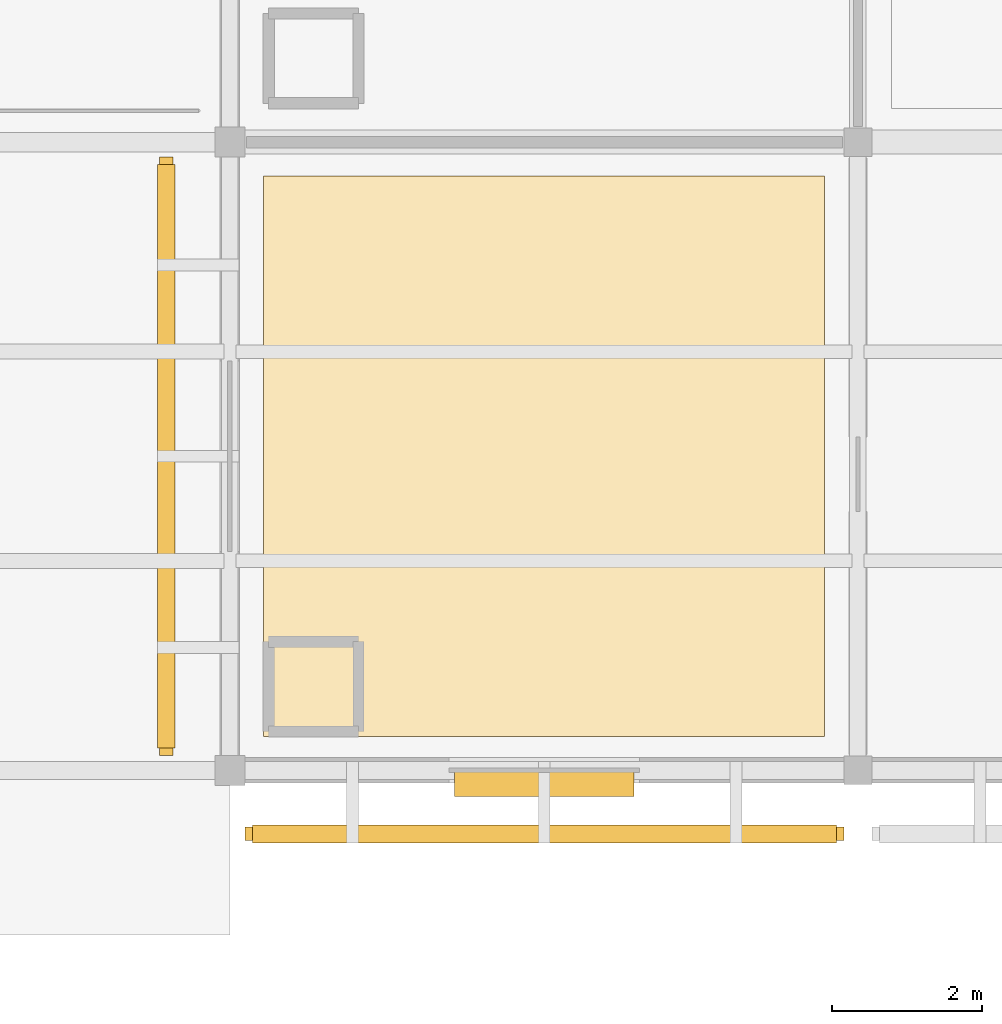
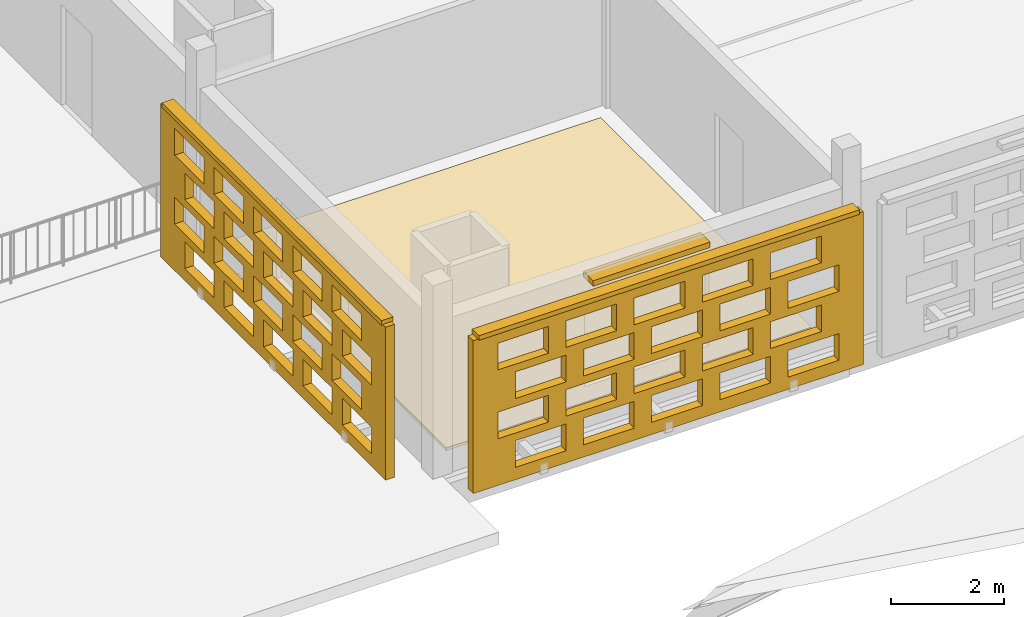
# One storey, part 130 of 140: 3 coverings, 3 shading devices, 40 openings.
"""IFC4 building model written with IfcOpenShell, lengths in metres."""

from ifc_helpers import new_model, si_unit, direction, frame, frame_2d, origin, origin_2d, place, context, subcontext, project, spatial, rectangle, extrude, material, layer, layer_set, type_object, element, save


model = new_model("IFC4")

# Units and contexts
model_context = context("Model", 3, precision=1e-05, world=origin(), true_north=direction((0.0, 1.0)))
body_context = subcontext(model_context, "Body", "Model", "MODEL_VIEW")
ifc_project = project(units=[si_unit("LENGTHUNIT", "METRE"), si_unit("AREAUNIT", "SQUARE_METRE"), si_unit("VOLUMEUNIT", "CUBIC_METRE"), si_unit("PLANEANGLEUNIT", "RADIAN"), si_unit("MASSUNIT", "GRAM", prefix="KILO")], contexts=[model_context])

# Site, building, storey
site_placement = place(None, origin())
site = spatial("IfcSite", under=ifc_project, at=site_placement, CompositionType="ELEMENT")
building_placement = place(site_placement, origin())
building = spatial("IfcBuilding", under=site, at=building_placement, Name="Varnapada Polytechnic", CompositionType="ELEMENT")
storey_placement = place(building_placement, frame((0.0, 0.0, 13.800048828125)))
storey = spatial("IfcBuildingStorey", under=building, at=storey_placement, Name="L03", CompositionType="ELEMENT", Elevation=13.800048828125)

# Covering
ifc_material_1 = material(Name="Anti-Static Raised Laboratory Flooring")
ifc_layer_1 = layer(ifc_material_1, 0.06005859375)
ifc_layer_set_1 = layer_set([ifc_layer_1], Name="Anti-Static Raised Laboratory Flooring")
covering_type_1 = type_object("IfcCoveringType", Name="Floor Finish FLR-02", PredefinedType="FLOORING", material=ifc_layer_set_1)
covering_1_placement = place(storey_placement, frame((147.0, 63.0, 0.0), z_axis=(0.0, 0.0, 1.0), x_axis=(1.0, 0.0, 0.0)))
element("IfcCovering", 1, at=covering_1_placement, inside=storey, type_object=covering_type_1, Name="L03 floor finish panel (18,8)", PredefinedType="FLOORING", context=body_context, shape_type="SweptSolid", body=[
    extrude(rectangle(XDim=7.5, YDim=7.5, at=origin_2d()), origin(), (0.0, 0.0, 1.0), 0.06005859375),
])

# Shading device
ifc_material_2 = material(Name="Anodised aluminium", Category="aluminium")
ifc_layer_2 = layer(ifc_material_2, 0.35009765625)
ifc_layer_set_2 = layer_set([ifc_layer_2], Name="Anodised aluminium")
shading_device_type_1 = type_object("IfcShadingDeviceType", Name="Solar Louvre LVR-01", PredefinedType="JALOUSIE", material=ifc_layer_set_2)
shading_device_1_placement = place(storey_placement, frame((147.0048828125, 58.6201171875, 3.159912109375), z_axis=(0.0, 0.0, 1.0), x_axis=(-1.0, 0.0, 0.0)))
element("IfcShadingDevice", 2, at=shading_device_1_placement, inside=storey, type_object=shading_device_type_1, Name="L03 aluminium sun louvre 79", PredefinedType="JALOUSIE", context=body_context, shape_type="SweptSolid", body=[
    extrude(rectangle(XDim=2.39990234375, YDim=0.340087890625, at=origin_2d()), origin(), (0.0, 0.0, 1.0), 0.1201171875),
])

# Covering, openings
ifc_material_3 = material(Name="Earth-toned architectural terracotta screen block", Category="masonry")
ifc_layer_3 = layer(ifc_material_3, 0.1201171875)
ifc_layer_set_3 = layer_set([ifc_layer_3], Name="Earth-toned architectural terracotta screen block")
covering_type_2 = type_object("IfcCoveringType", Name="Terracotta Screen Cladding CLD-01", PredefinedType="CLADDING", material=ifc_layer_set_3)
covering_2_placement = place(storey_placement, frame((151.010009765625, 57.949951171875, 0.0), z_axis=(0.0, 0.0, 1.0), x_axis=(-1.0, 0.0, 0.0)))
covering_2 = element("IfcCovering", 3, at=covering_2_placement, inside=storey, type_object=covering_type_2, Name="L03 perforated terracotta block screen (79)", PredefinedType="CLADDING", context=body_context, shape_type="SweptSolid", body=[
    extrude(rectangle(XDim=8.010009765625, YDim=0.179931640625, at=frame_2d((4.0048828125, 0.0))), origin(), (0.0, 0.0, 1.0), 3.320068359375),
])
opening_1_placement = place(covering_2_placement, frame((0.5048828125, 0.0, 0.265625)))
element("IfcOpeningElement", 4, at=opening_1_placement, cuts=covering_2, Name="Screen perforation TBS-L03-078.1", PredefinedType="OPENING", context=body_context, shape_type="SweptSolid", body=[
    extrude(rectangle(XDim=1.0400390625, YDim=0.5810546875, at=frame_2d((0.52001953125, 0.29052734375))), frame((0.0, 0.099853515625, 0.0), z_axis=(0.0, -1.0, 0.0), x_axis=(1.0, 0.0, 0.0)), (0.0, 0.0, 1.0), 0.199951171875),
])
opening_2_placement = place(covering_2_placement, frame((1.905029296875, 0.0, 0.265625)))
element("IfcOpeningElement", 5, at=opening_2_placement, cuts=covering_2, Name="Screen perforation TBS-L03-078.2", PredefinedType="OPENING", context=body_context, shape_type="SweptSolid", body=[
    extrude(rectangle(XDim=1.0400390625, YDim=0.5810546875, at=frame_2d((0.52001953125, 0.29052734375))), frame((0.0, 0.099853515625, 0.0), z_axis=(0.0, -1.0, 0.0), x_axis=(1.0, 0.0, 0.0)), (0.0, 0.0, 1.0), 0.199951171875),
])
opening_3_placement = place(covering_2_placement, frame((3.304931640625, 0.0, 0.265625)))
element("IfcOpeningElement", 6, at=opening_3_placement, cuts=covering_2, Name="Screen perforation TBS-L03-078.3", PredefinedType="OPENING", context=body_context, shape_type="SweptSolid", body=[
    extrude(rectangle(XDim=1.0400390625, YDim=0.5810546875, at=frame_2d((0.52001953125, 0.29052734375))), frame((0.0, 0.099853515625, 0.0), z_axis=(0.0, -1.0, 0.0), x_axis=(1.0, 0.0, 0.0)), (0.0, 0.0, 1.0), 0.199951171875),
])
opening_4_placement = place(covering_2_placement, frame((4.705078125, 0.0, 0.265625)))
element("IfcOpeningElement", 7, at=opening_4_placement, cuts=covering_2, Name="Screen perforation TBS-L03-078.4", PredefinedType="OPENING", context=body_context, shape_type="SweptSolid", body=[
    extrude(rectangle(XDim=1.0400390625, YDim=0.5810546875, at=frame_2d((0.52001953125, 0.29052734375))), frame((0.0, 0.099853515625, 0.0), z_axis=(0.0, -1.0, 0.0), x_axis=(1.0, 0.0, 0.0)), (0.0, 0.0, 1.0), 0.199951171875),
])
opening_5_placement = place(covering_2_placement, frame((6.10498046875, 0.0, 0.265625)))
element("IfcOpeningElement", 8, at=opening_5_placement, cuts=covering_2, Name="Screen perforation TBS-L03-078.5", PredefinedType="OPENING", context=body_context, shape_type="SweptSolid", body=[
    extrude(rectangle(XDim=1.0400390625, YDim=0.5810546875, at=frame_2d((0.52001953125, 0.29052734375))), frame((0.0, 0.099853515625, 0.0), z_axis=(0.0, -1.0, 0.0), x_axis=(1.0, 0.0, 0.0)), (0.0, 0.0, 1.0), 0.199951171875),
])
opening_6_placement = place(covering_2_placement, frame((0.864990234375, 0.0, 1.0126953125)))
element("IfcOpeningElement", 9, at=opening_6_placement, cuts=covering_2, Name="Screen perforation TBS-L03-078.6", PredefinedType="OPENING", context=body_context, shape_type="SweptSolid", body=[
    extrude(rectangle(XDim=1.0400390625, YDim=0.5810546875, at=frame_2d((0.52001953125, 0.29052734375))), frame((0.0, 0.099853515625, 0.0), z_axis=(0.0, -1.0, 0.0), x_axis=(1.0, 0.0, 0.0)), (0.0, 0.0, 1.0), 0.199951171875),
])
opening_7_placement = place(covering_2_placement, frame((2.264892578125, 0.0, 1.0126953125)))
element("IfcOpeningElement", 10, at=opening_7_placement, cuts=covering_2, Name="Screen perforation TBS-L03-078.7", PredefinedType="OPENING", context=body_context, shape_type="SweptSolid", body=[
    extrude(rectangle(XDim=1.0400390625, YDim=0.5810546875, at=frame_2d((0.52001953125, 0.29052734375))), frame((0.0, 0.099853515625, 0.0), z_axis=(0.0, -1.0, 0.0), x_axis=(1.0, 0.0, 0.0)), (0.0, 0.0, 1.0), 0.199951171875),
])
opening_8_placement = place(covering_2_placement, frame((3.6650390625, 0.0, 1.0126953125)))
element("IfcOpeningElement", 11, at=opening_8_placement, cuts=covering_2, Name="Screen perforation TBS-L03-078.8", PredefinedType="OPENING", context=body_context, shape_type="SweptSolid", body=[
    extrude(rectangle(XDim=1.0400390625, YDim=0.5810546875, at=frame_2d((0.52001953125, 0.29052734375))), frame((0.0, 0.099853515625, 0.0), z_axis=(0.0, -1.0, 0.0), x_axis=(1.0, 0.0, 0.0)), (0.0, 0.0, 1.0), 0.199951171875),
])
opening_9_placement = place(covering_2_placement, frame((5.06494140625, 0.0, 1.0126953125)))
element("IfcOpeningElement", 12, at=opening_9_placement, cuts=covering_2, Name="Screen perforation TBS-L03-078.9", PredefinedType="OPENING", context=body_context, shape_type="SweptSolid", body=[
    extrude(rectangle(XDim=1.0400390625, YDim=0.5810546875, at=frame_2d((0.52001953125, 0.29052734375))), frame((0.0, 0.099853515625, 0.0), z_axis=(0.0, -1.0, 0.0), x_axis=(1.0, 0.0, 0.0)), (0.0, 0.0, 1.0), 0.199951171875),
])
opening_10_placement = place(covering_2_placement, frame((6.465087890625, 0.0, 1.0126953125)))
element("IfcOpeningElement", 13, at=opening_10_placement, cuts=covering_2, Name="Screen perforation TBS-L03-078.10", PredefinedType="OPENING", context=body_context, shape_type="SweptSolid", body=[
    extrude(rectangle(XDim=1.0400390625, YDim=0.5810546875, at=frame_2d((0.52001953125, 0.29052734375))), frame((0.0, 0.099853515625, 0.0), z_axis=(0.0, -1.0, 0.0), x_axis=(1.0, 0.0, 0.0)), (0.0, 0.0, 1.0), 0.199951171875),
])
opening_11_placement = place(covering_2_placement, frame((0.5048828125, 0.0, 1.759521484375)))
element("IfcOpeningElement", 14, at=opening_11_placement, cuts=covering_2, Name="Screen perforation TBS-L03-078.11", PredefinedType="OPENING", context=body_context, shape_type="SweptSolid", body=[
    extrude(rectangle(XDim=1.0400390625, YDim=0.5810546875, at=frame_2d((0.52001953125, 0.29052734375))), frame((0.0, 0.099853515625, 0.0), z_axis=(0.0, -1.0, 0.0), x_axis=(1.0, 0.0, 0.0)), (0.0, 0.0, 1.0), 0.199951171875),
])
opening_12_placement = place(covering_2_placement, frame((1.905029296875, 0.0, 1.759521484375)))
element("IfcOpeningElement", 15, at=opening_12_placement, cuts=covering_2, Name="Screen perforation TBS-L03-078.12", PredefinedType="OPENING", context=body_context, shape_type="SweptSolid", body=[
    extrude(rectangle(XDim=1.0400390625, YDim=0.5810546875, at=frame_2d((0.52001953125, 0.29052734375))), frame((0.0, 0.099853515625, 0.0), z_axis=(0.0, -1.0, 0.0), x_axis=(1.0, 0.0, 0.0)), (0.0, 0.0, 1.0), 0.199951171875),
])
opening_13_placement = place(covering_2_placement, frame((3.304931640625, 0.0, 1.759521484375)))
element("IfcOpeningElement", 16, at=opening_13_placement, cuts=covering_2, Name="Screen perforation TBS-L03-078.13", PredefinedType="OPENING", context=body_context, shape_type="SweptSolid", body=[
    extrude(rectangle(XDim=1.0400390625, YDim=0.5810546875, at=frame_2d((0.52001953125, 0.29052734375))), frame((0.0, 0.099853515625, 0.0), z_axis=(0.0, -1.0, 0.0), x_axis=(1.0, 0.0, 0.0)), (0.0, 0.0, 1.0), 0.199951171875),
])
opening_14_placement = place(covering_2_placement, frame((4.705078125, 0.0, 1.759521484375)))
element("IfcOpeningElement", 17, at=opening_14_placement, cuts=covering_2, Name="Screen perforation TBS-L03-078.14", PredefinedType="OPENING", context=body_context, shape_type="SweptSolid", body=[
    extrude(rectangle(XDim=1.0400390625, YDim=0.5810546875, at=frame_2d((0.52001953125, 0.29052734375))), frame((0.0, 0.099853515625, 0.0), z_axis=(0.0, -1.0, 0.0), x_axis=(1.0, 0.0, 0.0)), (0.0, 0.0, 1.0), 0.199951171875),
])
opening_15_placement = place(covering_2_placement, frame((6.10498046875, 0.0, 1.759521484375)))
element("IfcOpeningElement", 18, at=opening_15_placement, cuts=covering_2, Name="Screen perforation TBS-L03-078.15", PredefinedType="OPENING", context=body_context, shape_type="SweptSolid", body=[
    extrude(rectangle(XDim=1.0400390625, YDim=0.5810546875, at=frame_2d((0.52001953125, 0.29052734375))), frame((0.0, 0.099853515625, 0.0), z_axis=(0.0, -1.0, 0.0), x_axis=(1.0, 0.0, 0.0)), (0.0, 0.0, 1.0), 0.199951171875),
])
opening_16_placement = place(covering_2_placement, frame((0.864990234375, 0.0, 2.506591796875)))
element("IfcOpeningElement", 19, at=opening_16_placement, cuts=covering_2, Name="Screen perforation TBS-L03-078.16", PredefinedType="OPENING", context=body_context, shape_type="SweptSolid", body=[
    extrude(rectangle(XDim=1.0400390625, YDim=0.5810546875, at=frame_2d((0.52001953125, 0.29052734375))), frame((0.0, 0.099853515625, 0.0), z_axis=(0.0, -1.0, 0.0), x_axis=(1.0, 0.0, 0.0)), (0.0, 0.0, 1.0), 0.199951171875),
])
opening_17_placement = place(covering_2_placement, frame((2.264892578125, 0.0, 2.506591796875)))
element("IfcOpeningElement", 20, at=opening_17_placement, cuts=covering_2, Name="Screen perforation TBS-L03-078.17", PredefinedType="OPENING", context=body_context, shape_type="SweptSolid", body=[
    extrude(rectangle(XDim=1.0400390625, YDim=0.5810546875, at=frame_2d((0.52001953125, 0.29052734375))), frame((0.0, 0.099853515625, 0.0), z_axis=(0.0, -1.0, 0.0), x_axis=(1.0, 0.0, 0.0)), (0.0, 0.0, 1.0), 0.199951171875),
])
opening_18_placement = place(covering_2_placement, frame((3.6650390625, 0.0, 2.506591796875)))
element("IfcOpeningElement", 21, at=opening_18_placement, cuts=covering_2, Name="Screen perforation TBS-L03-078.18", PredefinedType="OPENING", context=body_context, shape_type="SweptSolid", body=[
    extrude(rectangle(XDim=1.0400390625, YDim=0.5810546875, at=frame_2d((0.52001953125, 0.29052734375))), frame((0.0, 0.099853515625, 0.0), z_axis=(0.0, -1.0, 0.0), x_axis=(1.0, 0.0, 0.0)), (0.0, 0.0, 1.0), 0.199951171875),
])
opening_19_placement = place(covering_2_placement, frame((5.06494140625, 0.0, 2.506591796875)))
element("IfcOpeningElement", 22, at=opening_19_placement, cuts=covering_2, Name="Screen perforation TBS-L03-078.19", PredefinedType="OPENING", context=body_context, shape_type="SweptSolid", body=[
    extrude(rectangle(XDim=1.0400390625, YDim=0.5810546875, at=frame_2d((0.52001953125, 0.29052734375))), frame((0.0, 0.099853515625, 0.0), z_axis=(0.0, -1.0, 0.0), x_axis=(1.0, 0.0, 0.0)), (0.0, 0.0, 1.0), 0.199951171875),
])
opening_20_placement = place(covering_2_placement, frame((6.465087890625, 0.0, 2.506591796875)))
element("IfcOpeningElement", 23, at=opening_20_placement, cuts=covering_2, Name="Screen perforation TBS-L03-078.20", PredefinedType="OPENING", context=body_context, shape_type="SweptSolid", body=[
    extrude(rectangle(XDim=1.0400390625, YDim=0.5810546875, at=frame_2d((0.52001953125, 0.29052734375))), frame((0.0, 0.099853515625, 0.0), z_axis=(0.0, -1.0, 0.0), x_axis=(1.0, 0.0, 0.0)), (0.0, 0.0, 1.0), 0.199951171875),
])

covering_3_placement = place(storey_placement, frame((141.949951171875, 59.0, 0.0), z_axis=(0.0, 0.0, 1.0), x_axis=(0.0, 1.0, 0.0)))
covering_3 = element("IfcCovering", 24, at=covering_3_placement, inside=storey, type_object=covering_type_2, Name="L03 perforated terracotta block screen (80)", PredefinedType="CLADDING", context=body_context, shape_type="SweptSolid", body=[
    extrude(rectangle(XDim=8.0, YDim=0.179931640625, at=frame_2d((4.0, 0.0))), origin(), (0.0, 0.0, 1.0), 3.320068359375),
])
opening_21_placement = place(covering_3_placement, frame((0.5, 0.0, 0.265625)))
element("IfcOpeningElement", 25, at=opening_21_placement, cuts=covering_3, Name="Screen perforation TBS-L03-079.1", PredefinedType="OPENING", context=body_context, shape_type="SweptSolid", body=[
    extrude(rectangle(XDim=1.0400390625, YDim=0.5810546875, at=frame_2d((0.52001953125, 0.29052734375))), frame((0.0, 0.099853515625, 0.0), z_axis=(0.0, -1.0, 0.0), x_axis=(1.0, 0.0, 0.0)), (0.0, 0.0, 1.0), 0.199951171875),
])
opening_22_placement = place(covering_3_placement, frame((1.89990234375, 0.0, 0.265625)))
element("IfcOpeningElement", 26, at=opening_22_placement, cuts=covering_3, Name="Screen perforation TBS-L03-079.2", PredefinedType="OPENING", context=body_context, shape_type="SweptSolid", body=[
    extrude(rectangle(XDim=1.0400390625, YDim=0.5810546875, at=frame_2d((0.52001953125, 0.29052734375))), frame((0.0, 0.099853515625, 0.0), z_axis=(0.0, -1.0, 0.0), x_axis=(1.0, 0.0, 0.0)), (0.0, 0.0, 1.0), 0.199951171875),
])
opening_23_placement = place(covering_3_placement, frame((3.300048828125, 0.0, 0.265625)))
element("IfcOpeningElement", 27, at=opening_23_placement, cuts=covering_3, Name="Screen perforation TBS-L03-079.3", PredefinedType="OPENING", context=body_context, shape_type="SweptSolid", body=[
    extrude(rectangle(XDim=1.0400390625, YDim=0.5810546875, at=frame_2d((0.52001953125, 0.29052734375))), frame((0.0, 0.099853515625, 0.0), z_axis=(0.0, -1.0, 0.0), x_axis=(1.0, 0.0, 0.0)), (0.0, 0.0, 1.0), 0.199951171875),
])
opening_24_placement = place(covering_3_placement, frame((4.699951171875, 0.0, 0.265625)))
element("IfcOpeningElement", 28, at=opening_24_placement, cuts=covering_3, Name="Screen perforation TBS-L03-079.4", PredefinedType="OPENING", context=body_context, shape_type="SweptSolid", body=[
    extrude(rectangle(XDim=1.0400390625, YDim=0.5810546875, at=frame_2d((0.52001953125, 0.29052734375))), frame((0.0, 0.099853515625, 0.0), z_axis=(0.0, -1.0, 0.0), x_axis=(1.0, 0.0, 0.0)), (0.0, 0.0, 1.0), 0.199951171875),
])
opening_25_placement = place(covering_3_placement, frame((6.10009765625, 0.0, 0.265625)))
element("IfcOpeningElement", 29, at=opening_25_placement, cuts=covering_3, Name="Screen perforation TBS-L03-079.5", PredefinedType="OPENING", context=body_context, shape_type="SweptSolid", body=[
    extrude(rectangle(XDim=1.0400390625, YDim=0.5810546875, at=frame_2d((0.52001953125, 0.29052734375))), frame((0.0, 0.099853515625, 0.0), z_axis=(0.0, -1.0, 0.0), x_axis=(1.0, 0.0, 0.0)), (0.0, 0.0, 1.0), 0.199951171875),
])
opening_26_placement = place(covering_3_placement, frame((0.860107421875, 0.0, 1.0126953125)))
element("IfcOpeningElement", 30, at=opening_26_placement, cuts=covering_3, Name="Screen perforation TBS-L03-079.6", PredefinedType="OPENING", context=body_context, shape_type="SweptSolid", body=[
    extrude(rectangle(XDim=1.0400390625, YDim=0.5810546875, at=frame_2d((0.52001953125, 0.29052734375))), frame((0.0, 0.099853515625, 0.0), z_axis=(0.0, -1.0, 0.0), x_axis=(1.0, 0.0, 0.0)), (0.0, 0.0, 1.0), 0.199951171875),
])
opening_27_placement = place(covering_3_placement, frame((2.260009765625, 0.0, 1.0126953125)))
element("IfcOpeningElement", 31, at=opening_27_placement, cuts=covering_3, Name="Screen perforation TBS-L03-079.7", PredefinedType="OPENING", context=body_context, shape_type="SweptSolid", body=[
    extrude(rectangle(XDim=1.0400390625, YDim=0.5810546875, at=frame_2d((0.52001953125, 0.29052734375))), frame((0.0, 0.099853515625, 0.0), z_axis=(0.0, -1.0, 0.0), x_axis=(1.0, 0.0, 0.0)), (0.0, 0.0, 1.0), 0.199951171875),
])
opening_28_placement = place(covering_3_placement, frame((3.659912109375, 0.0, 1.0126953125)))
element("IfcOpeningElement", 32, at=opening_28_placement, cuts=covering_3, Name="Screen perforation TBS-L03-079.8", PredefinedType="OPENING", context=body_context, shape_type="SweptSolid", body=[
    extrude(rectangle(XDim=1.0400390625, YDim=0.5810546875, at=frame_2d((0.52001953125, 0.29052734375))), frame((0.0, 0.099853515625, 0.0), z_axis=(0.0, -1.0, 0.0), x_axis=(1.0, 0.0, 0.0)), (0.0, 0.0, 1.0), 0.199951171875),
])
opening_29_placement = place(covering_3_placement, frame((5.06005859375, 0.0, 1.0126953125)))
element("IfcOpeningElement", 33, at=opening_29_placement, cuts=covering_3, Name="Screen perforation TBS-L03-079.9", PredefinedType="OPENING", context=body_context, shape_type="SweptSolid", body=[
    extrude(rectangle(XDim=1.0400390625, YDim=0.5810546875, at=frame_2d((0.52001953125, 0.29052734375))), frame((0.0, 0.099853515625, 0.0), z_axis=(0.0, -1.0, 0.0), x_axis=(1.0, 0.0, 0.0)), (0.0, 0.0, 1.0), 0.199951171875),
])
opening_30_placement = place(covering_3_placement, frame((6.4599609375, 0.0, 1.0126953125)))
element("IfcOpeningElement", 34, at=opening_30_placement, cuts=covering_3, Name="Screen perforation TBS-L03-079.10", PredefinedType="OPENING", context=body_context, shape_type="SweptSolid", body=[
    extrude(rectangle(XDim=1.0400390625, YDim=0.5810546875, at=frame_2d((0.52001953125, 0.29052734375))), frame((0.0, 0.099853515625, 0.0), z_axis=(0.0, -1.0, 0.0), x_axis=(1.0, 0.0, 0.0)), (0.0, 0.0, 1.0), 0.199951171875),
])
opening_31_placement = place(covering_3_placement, frame((0.5, 0.0, 1.759521484375)))
element("IfcOpeningElement", 35, at=opening_31_placement, cuts=covering_3, Name="Screen perforation TBS-L03-079.11", PredefinedType="OPENING", context=body_context, shape_type="SweptSolid", body=[
    extrude(rectangle(XDim=1.0400390625, YDim=0.5810546875, at=frame_2d((0.52001953125, 0.29052734375))), frame((0.0, 0.099853515625, 0.0), z_axis=(0.0, -1.0, 0.0), x_axis=(1.0, 0.0, 0.0)), (0.0, 0.0, 1.0), 0.199951171875),
])
opening_32_placement = place(covering_3_placement, frame((1.89990234375, 0.0, 1.759521484375)))
element("IfcOpeningElement", 36, at=opening_32_placement, cuts=covering_3, Name="Screen perforation TBS-L03-079.12", PredefinedType="OPENING", context=body_context, shape_type="SweptSolid", body=[
    extrude(rectangle(XDim=1.0400390625, YDim=0.5810546875, at=frame_2d((0.52001953125, 0.29052734375))), frame((0.0, 0.099853515625, 0.0), z_axis=(0.0, -1.0, 0.0), x_axis=(1.0, 0.0, 0.0)), (0.0, 0.0, 1.0), 0.199951171875),
])
opening_33_placement = place(covering_3_placement, frame((3.300048828125, 0.0, 1.759521484375)))
element("IfcOpeningElement", 37, at=opening_33_placement, cuts=covering_3, Name="Screen perforation TBS-L03-079.13", PredefinedType="OPENING", context=body_context, shape_type="SweptSolid", body=[
    extrude(rectangle(XDim=1.0400390625, YDim=0.5810546875, at=frame_2d((0.52001953125, 0.29052734375))), frame((0.0, 0.099853515625, 0.0), z_axis=(0.0, -1.0, 0.0), x_axis=(1.0, 0.0, 0.0)), (0.0, 0.0, 1.0), 0.199951171875),
])
opening_34_placement = place(covering_3_placement, frame((4.699951171875, 0.0, 1.759521484375)))
element("IfcOpeningElement", 38, at=opening_34_placement, cuts=covering_3, Name="Screen perforation TBS-L03-079.14", PredefinedType="OPENING", context=body_context, shape_type="SweptSolid", body=[
    extrude(rectangle(XDim=1.0400390625, YDim=0.5810546875, at=frame_2d((0.52001953125, 0.29052734375))), frame((0.0, 0.099853515625, 0.0), z_axis=(0.0, -1.0, 0.0), x_axis=(1.0, 0.0, 0.0)), (0.0, 0.0, 1.0), 0.199951171875),
])
opening_35_placement = place(covering_3_placement, frame((6.10009765625, 0.0, 1.759521484375)))
element("IfcOpeningElement", 39, at=opening_35_placement, cuts=covering_3, Name="Screen perforation TBS-L03-079.15", PredefinedType="OPENING", context=body_context, shape_type="SweptSolid", body=[
    extrude(rectangle(XDim=1.0400390625, YDim=0.5810546875, at=frame_2d((0.52001953125, 0.29052734375))), frame((0.0, 0.099853515625, 0.0), z_axis=(0.0, -1.0, 0.0), x_axis=(1.0, 0.0, 0.0)), (0.0, 0.0, 1.0), 0.199951171875),
])
opening_36_placement = place(covering_3_placement, frame((0.860107421875, 0.0, 2.506591796875)))
element("IfcOpeningElement", 40, at=opening_36_placement, cuts=covering_3, Name="Screen perforation TBS-L03-079.16", PredefinedType="OPENING", context=body_context, shape_type="SweptSolid", body=[
    extrude(rectangle(XDim=1.0400390625, YDim=0.5810546875, at=frame_2d((0.52001953125, 0.29052734375))), frame((0.0, 0.099853515625, 0.0), z_axis=(0.0, -1.0, 0.0), x_axis=(1.0, 0.0, 0.0)), (0.0, 0.0, 1.0), 0.199951171875),
])
opening_37_placement = place(covering_3_placement, frame((2.260009765625, 0.0, 2.506591796875)))
element("IfcOpeningElement", 41, at=opening_37_placement, cuts=covering_3, Name="Screen perforation TBS-L03-079.17", PredefinedType="OPENING", context=body_context, shape_type="SweptSolid", body=[
    extrude(rectangle(XDim=1.0400390625, YDim=0.5810546875, at=frame_2d((0.52001953125, 0.29052734375))), frame((0.0, 0.099853515625, 0.0), z_axis=(0.0, -1.0, 0.0), x_axis=(1.0, 0.0, 0.0)), (0.0, 0.0, 1.0), 0.199951171875),
])
opening_38_placement = place(covering_3_placement, frame((3.659912109375, 0.0, 2.506591796875)))
element("IfcOpeningElement", 42, at=opening_38_placement, cuts=covering_3, Name="Screen perforation TBS-L03-079.18", PredefinedType="OPENING", context=body_context, shape_type="SweptSolid", body=[
    extrude(rectangle(XDim=1.0400390625, YDim=0.5810546875, at=frame_2d((0.52001953125, 0.29052734375))), frame((0.0, 0.099853515625, 0.0), z_axis=(0.0, -1.0, 0.0), x_axis=(1.0, 0.0, 0.0)), (0.0, 0.0, 1.0), 0.199951171875),
])
opening_39_placement = place(covering_3_placement, frame((5.06005859375, 0.0, 2.506591796875)))
element("IfcOpeningElement", 43, at=opening_39_placement, cuts=covering_3, Name="Screen perforation TBS-L03-079.19", PredefinedType="OPENING", context=body_context, shape_type="SweptSolid", body=[
    extrude(rectangle(XDim=1.0400390625, YDim=0.5810546875, at=frame_2d((0.52001953125, 0.29052734375))), frame((0.0, 0.099853515625, 0.0), z_axis=(0.0, -1.0, 0.0), x_axis=(1.0, 0.0, 0.0)), (0.0, 0.0, 1.0), 0.199951171875),
])
opening_40_placement = place(covering_3_placement, frame((6.4599609375, 0.0, 2.506591796875)))
element("IfcOpeningElement", 44, at=opening_40_placement, cuts=covering_3, Name="Screen perforation TBS-L03-079.20", PredefinedType="OPENING", context=body_context, shape_type="SweptSolid", body=[
    extrude(rectangle(XDim=1.0400390625, YDim=0.5810546875, at=frame_2d((0.52001953125, 0.29052734375))), frame((0.0, 0.099853515625, 0.0), z_axis=(0.0, -1.0, 0.0), x_axis=(1.0, 0.0, 0.0)), (0.0, 0.0, 1.0), 0.199951171875),
])

# Shading devices
ifc_layer_4 = layer(ifc_material_3, 0.179931640625)
ifc_layer_set_4 = layer_set([ifc_layer_4], Name="Earth-toned architectural terracotta screen block")
shading_device_type_2 = type_object("IfcShadingDeviceType", Name="Terracotta Screen SCR-01", PredefinedType="USERDEFINED", material=ifc_layer_set_4)
shading_device_2_placement = place(storey_placement, frame((147.0048828125, 57.949951171875, 3.309814453125), z_axis=(0.0, 0.0, 1.0), x_axis=(-1.0, 0.0, 0.0)))
element("IfcShadingDevice", 45, at=shading_device_2_placement, inside=storey, type_object=shading_device_type_2, Name="L03 perforated terracotta screen hood 406", ObjectType="SCREEN", PredefinedType="USERDEFINED", context=body_context, shape_type="SweptSolid", body=[
    extrude(rectangle(XDim=7.81005859375, YDim=0.239990234375, at=origin_2d()), origin(), (0.0, 0.0, 1.0), 0.10009765625),
])
shading_device_3_placement = place(storey_placement, frame((141.949951171875, 63.0, 3.309814453125), z_axis=(0.0, 0.0, 1.0), x_axis=(0.0, 1.0, 0.0)))
element("IfcShadingDevice", 46, at=shading_device_3_placement, inside=storey, type_object=shading_device_type_2, Name="L03 perforated terracotta screen hood 407", ObjectType="SCREEN", PredefinedType="USERDEFINED", context=body_context, shape_type="SweptSolid", body=[
    extrude(rectangle(XDim=7.800048828125, YDim=0.239990234375, at=origin_2d()), origin(), (0.0, 0.0, 1.0), 0.10009765625),
])

save(model, "model.ifc")
